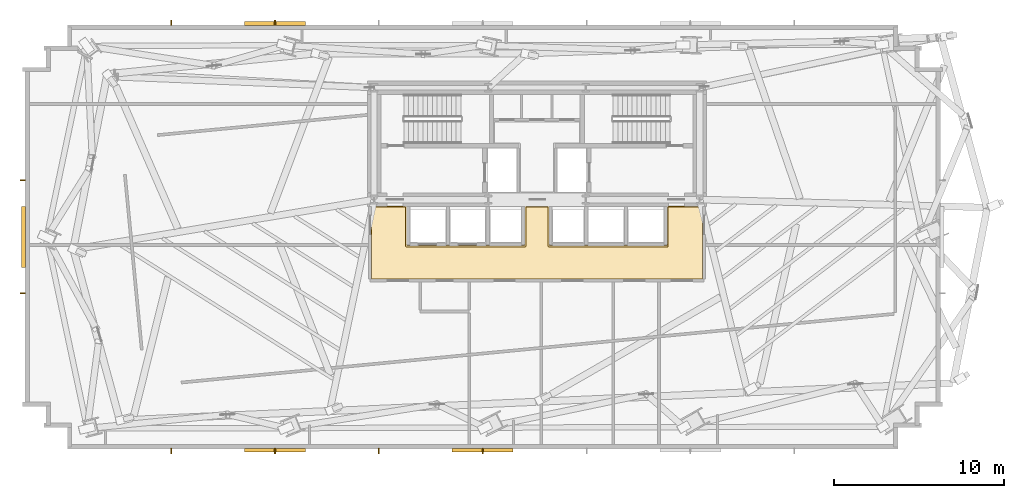
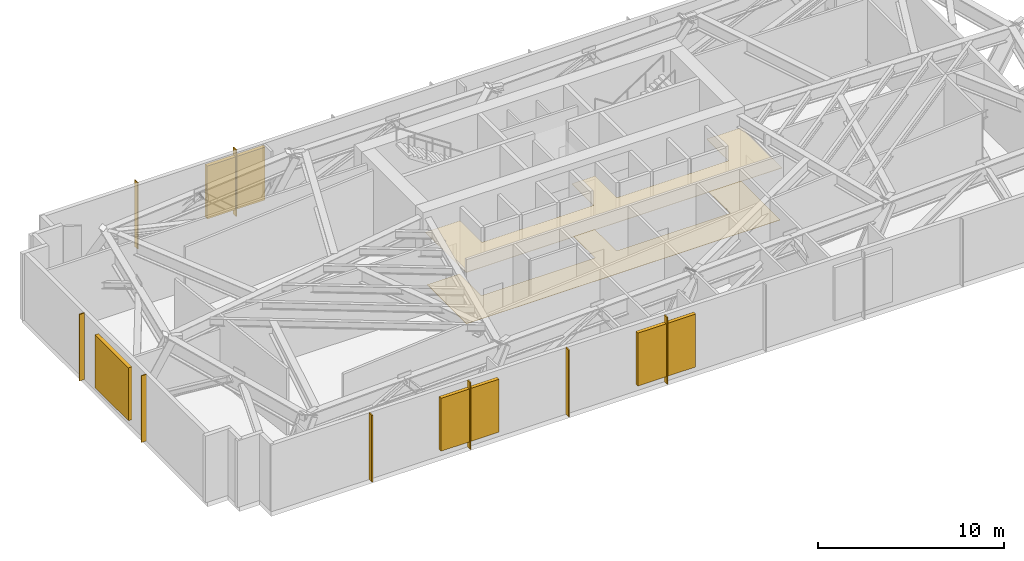
# One storey, part 9 of 11: 12 shading devices, 2 coverings.
"""IFC4 building model written with IfcOpenShell, lengths in metres."""

from ifc_helpers import new_model, si_unit, direction, frame, origin, origin_2d, place, context, subcontext, project, spatial, polyline, rectangle, outline, extrude, source, transform, mapped, material, layer, layer_set, type_object, type_shapes, element, save


model = new_model("IFC4")

# Units and contexts
model_context = context("Model", 3, precision=1e-05, world=origin(), true_north=direction((0.0, 1.0)))
body_context = subcontext(model_context, "Body", "Model", "MODEL_VIEW")
ifc_project = project(units=[si_unit("LENGTHUNIT", "METRE"), si_unit("AREAUNIT", "SQUARE_METRE"), si_unit("VOLUMEUNIT", "CUBIC_METRE"), si_unit("PLANEANGLEUNIT", "RADIAN"), si_unit("MASSUNIT", "GRAM", prefix="KILO")], contexts=[model_context])

# Site, building, storey
site_placement = place(None, origin())
site = spatial("IfcSite", under=ifc_project, at=site_placement, CompositionType="ELEMENT")
building_placement = place(site_placement, origin())
building = spatial("IfcBuilding", under=site, at=building_placement, Name="Astriad Promenade Condominiums", CompositionType="ELEMENT")
storey_placement = place(building_placement, frame((0.0, 0.0, 67.800048828125)))
storey = spatial("IfcBuildingStorey", under=building, at=storey_placement, Name="L19", CompositionType="ELEMENT", Elevation=67.800048828125)

# Coverings
ifc_material_1 = material(Name="Mineral-Fibre Acoustic Ceiling Tile")
ifc_layer_1 = layer(ifc_material_1, 0.02490234375)
ifc_layer_set_1 = layer_set([ifc_layer_1], Name="Mineral-Fibre Acoustic Ceiling Tile")
covering_type_1 = type_object("IfcCoveringType", Name="COV-CEIL-ACOUSTIC-25", PredefinedType="CEILING", material=ifc_layer_set_1)
covering_1_placement = place(storey_placement, frame((0.0, 0.0, 3.43505859375)))
element("IfcCovering", 1, at=covering_1_placement, inside=storey, type_object=covering_type_1, Name="CEIL-L19-PCOR-1", PredefinedType="CEILING", context=body_context, shape_type="SweptSolid", body=[
    extrude(outline(polyline([(26.169921875, 17.0), (26.170166015625, 17.0029296875), (26.170654296875, 17.005859375), (26.17138671875, 17.0087890625), (26.17236328125, 17.011474609375), (26.173583984375, 17.01416015625), (26.175048828125, 17.0166015625), (26.1767578125, 17.01904296875), (26.1787109375, 17.021240234375), (26.180908203125, 17.023193359375), (26.183349609375, 17.02490234375), (26.185791015625, 17.026611328125), (26.1884765625, 17.027587890625), (26.19140625, 17.02880859375), (26.194091796875, 17.029296875), (26.197021484375, 17.02978515625), (26.199951171875, 17.030029296875), (28.300048828125, 17.030029296875), (28.302978515625, 17.02978515625), (28.305908203125, 17.029296875), (28.30859375, 17.02880859375), (28.3115234375, 17.027587890625), (28.314208984375, 17.026611328125), (28.316650390625, 17.02490234375), (28.319091796875, 17.023193359375), (28.3212890625, 17.021240234375), (28.3232421875, 17.01904296875), (28.324951171875, 17.0166015625), (28.326416015625, 17.01416015625), (28.32763671875, 17.011474609375), (28.32861328125, 17.0087890625), (28.329345703125, 17.005859375), (28.329833984375, 17.0029296875), (28.330078125, 17.0), (28.330078125, 14.679931640625), (35.27001953125, 14.679931640625), (35.27001953125, 17.0), (35.27001953125, 17.0029296875), (35.2705078125, 17.005859375), (35.271240234375, 17.0087890625), (35.272216796875, 17.011474609375), (35.2734375, 17.01416015625), (35.275146484375, 17.0166015625), (35.27685546875, 17.01904296875), (35.27880859375, 17.021240234375), (35.281005859375, 17.023193359375), (35.283203125, 17.02490234375), (35.285888671875, 17.026611328125), (35.28857421875, 17.027587890625), (35.291259765625, 17.02880859375), (35.294189453125, 17.029296875), (35.297119140625, 17.02978515625), (35.300048828125, 17.030029296875), (36.699951171875, 17.030029296875), (36.702880859375, 17.02978515625), (36.705810546875, 17.029296875), (36.708740234375, 17.02880859375), (36.71142578125, 17.027587890625), (36.714111328125, 17.026611328125), (36.716796875, 17.02490234375), (36.718994140625, 17.023193359375), (36.72119140625, 17.021240234375), (36.72314453125, 17.01904296875), (36.724853515625, 17.0166015625), (36.7265625, 17.01416015625), (36.727783203125, 17.011474609375), (36.728759765625, 17.0087890625), (36.7294921875, 17.005859375), (36.72998046875, 17.0029296875), (36.72998046875, 17.0), (36.72998046875, 14.679931640625), (43.669921875, 14.679931640625), (43.669921875, 17.0), (43.670166015625, 17.0029296875), (43.670654296875, 17.005859375), (43.67138671875, 17.0087890625), (43.67236328125, 17.011474609375), (43.673583984375, 17.01416015625), (43.675048828125, 17.0166015625), (43.6767578125, 17.01904296875), (43.6787109375, 17.021240234375), (43.680908203125, 17.023193359375), (43.683349609375, 17.02490234375), (43.685791015625, 17.026611328125), (43.6884765625, 17.027587890625), (43.69140625, 17.02880859375), (43.694091796875, 17.029296875), (43.697021484375, 17.02978515625), (43.699951171875, 17.030029296875), (45.800048828125, 17.030029296875), (45.802978515625, 17.02978515625), (45.805908203125, 17.029296875), (45.80859375, 17.02880859375), (45.8115234375, 17.027587890625), (45.814208984375, 17.026611328125), (45.816650390625, 17.02490234375), (45.819091796875, 17.023193359375), (45.8212890625, 17.021240234375), (45.8232421875, 17.01904296875), (45.824951171875, 17.0166015625), (45.826416015625, 17.01416015625), (45.82763671875, 17.011474609375), (45.82861328125, 17.0087890625), (45.829345703125, 17.005859375), (45.829833984375, 17.0029296875), (45.830078125, 17.0), (45.830078125, 12.679931640625), (45.829833984375, 12.677001953125), (45.829345703125, 12.674072265625), (45.82861328125, 12.67138671875), (45.82763671875, 12.66845703125), (45.826416015625, 12.666015625), (45.824951171875, 12.663330078125), (45.8232421875, 12.660888671875), (45.8212890625, 12.65869140625), (45.819091796875, 12.65673828125), (45.816650390625, 12.655029296875), (45.814208984375, 12.653564453125), (45.8115234375, 12.65234375), (45.80859375, 12.6513671875), (45.805908203125, 12.650634765625), (45.802978515625, 12.650146484375), (45.800048828125, 12.64990234375), (26.199951171875, 12.64990234375), (26.197021484375, 12.650146484375), (26.194091796875, 12.650634765625), (26.19140625, 12.6513671875), (26.1884765625, 12.65234375), (26.185791015625, 12.653564453125), (26.183349609375, 12.655029296875), (26.180908203125, 12.65673828125), (26.1787109375, 12.65869140625), (26.1767578125, 12.660888671875), (26.175048828125, 12.663330078125), (26.173583984375, 12.666015625), (26.17236328125, 12.66845703125), (26.17138671875, 12.67138671875), (26.170654296875, 12.674072265625), (26.170166015625, 12.677001953125), (26.169921875, 12.679931640625), (26.169921875, 17.0)])), origin(), (0.0, 0.0, 1.0), 0.02490234375),
])
ifc_material_2 = material(Name="Polished Lakefront Terrazzo Flooring")
ifc_layer_2 = layer(ifc_material_2, 0.02001953125)
ifc_layer_set_2 = layer_set([ifc_layer_2], Name="Polished Lakefront Terrazzo Flooring")
covering_type_2 = type_object("IfcCoveringType", Name="COV-FLOR-TERRAZZO-20", PredefinedType="FLOORING", material=ifc_layer_set_2)
covering_2_placement = place(storey_placement, origin())
element("IfcCovering", 2, at=covering_2_placement, inside=storey, type_object=covering_type_2, Name="FLR-L19-PCOR-1", PredefinedType="FLOORING", context=body_context, shape_type="SweptSolid", body=[
    extrude(outline(polyline([(26.239990234375, 12.719970703125), (26.239990234375, 16.9599609375), (28.260009765625, 16.9599609375), (28.260009765625, 14.64990234375), (28.26025390625, 14.64599609375), (28.2607421875, 14.64208984375), (28.26171875, 14.638427734375), (28.262939453125, 14.634765625), (28.2646484375, 14.631103515625), (28.2666015625, 14.627685546875), (28.26904296875, 14.62451171875), (28.271728515625, 14.62158203125), (28.274658203125, 14.619140625), (28.27783203125, 14.61669921875), (28.281005859375, 14.61474609375), (28.28466796875, 14.613037109375), (28.288330078125, 14.61181640625), (28.292236328125, 14.61083984375), (28.296142578125, 14.610107421875), (28.300048828125, 14.610107421875), (35.300048828125, 14.610107421875), (35.303955078125, 14.610107421875), (35.307861328125, 14.61083984375), (35.3115234375, 14.61181640625), (35.315185546875, 14.613037109375), (35.31884765625, 14.61474609375), (35.322265625, 14.61669921875), (35.325439453125, 14.619140625), (35.328369140625, 14.62158203125), (35.330810546875, 14.62451171875), (35.333251953125, 14.627685546875), (35.335205078125, 14.631103515625), (35.3369140625, 14.634765625), (35.33837890625, 14.638427734375), (35.339111328125, 14.64208984375), (35.33984375, 14.64599609375), (35.340087890625, 14.64990234375), (35.340087890625, 16.9599609375), (36.659912109375, 16.9599609375), (36.659912109375, 14.64990234375), (36.66015625, 14.64599609375), (36.660888671875, 14.64208984375), (36.66162109375, 14.638427734375), (36.6630859375, 14.634765625), (36.664794921875, 14.631103515625), (36.666748046875, 14.627685546875), (36.669189453125, 14.62451171875), (36.671630859375, 14.62158203125), (36.674560546875, 14.619140625), (36.677734375, 14.61669921875), (36.68115234375, 14.61474609375), (36.684814453125, 14.613037109375), (36.6884765625, 14.61181640625), (36.692138671875, 14.61083984375), (36.696044921875, 14.610107421875), (36.699951171875, 14.610107421875), (43.699951171875, 14.610107421875), (43.703857421875, 14.610107421875), (43.707763671875, 14.61083984375), (43.711669921875, 14.61181640625), (43.71533203125, 14.613037109375), (43.718994140625, 14.61474609375), (43.72216796875, 14.61669921875), (43.725341796875, 14.619140625), (43.728271484375, 14.62158203125), (43.73095703125, 14.62451171875), (43.7333984375, 14.627685546875), (43.7353515625, 14.631103515625), (43.737060546875, 14.634765625), (43.73828125, 14.638427734375), (43.7392578125, 14.64208984375), (43.73974609375, 14.64599609375), (43.739990234375, 14.64990234375), (43.739990234375, 16.9599609375), (45.760009765625, 16.9599609375), (45.760009765625, 12.719970703125), (26.239990234375, 12.719970703125)])), origin(), (0.0, 0.0, 1.0), 0.02001953125),
])

# Shading devices
ifc_material_3 = material(Name="Anodised aluminium 6063-T6 Black Louvre", Category="aluminium")
shading_device_type_1 = type_object("IfcShadingDeviceType", Name="LOUVRE-ACOUSTIC-220", PredefinedType="JALOUSIE", material=ifc_material_3)
shared_shape_1 = source(origin(), body_context, "Body", "SweptSolid", [
    extrude(rectangle(XDim=3.60009765625, YDim=0.219970703125, at=origin_2d()), origin(), (0.0, 0.0, 1.0), 3.47998046875),
])
type_shapes(shading_device_type_1, [shared_shape_1])
for number, where, z_axis, x_axis, name in (
    (3, (5.7099609375, 15.199951171875, 0.449951171875), (0.0, 0.0, 1.0), (0.0, 1.0, 0.0), "LVR-L19-W-1"),
    (4, (20.550048828125, 27.7900390625, 0.449951171875), (0.0, 0.0, 1.0), (1.0, 0.0, 0.0), "LVR-L19-N-1"),
    (5, (32.800048828125, 2.610107421875, 0.449951171875), (0.0, 0.0, 1.0), (-1.0, 0.0, 0.0), "LVR-L19-S-2"),
    (6, (20.550048828125, 2.610107421875, 0.449951171875), (0.0, 0.0, 1.0), (-1.0, 0.0, 0.0), "LVR-L19-S-3"),
):
    element("IfcShadingDevice", number, at=place(storey_placement, frame(where, z_axis=z_axis, x_axis=x_axis)), inside=storey, type_object=shading_device_type_1, Name=name, PredefinedType="JALOUSIE", context=body_context, shape_type="MappedRepresentation", body=[
        mapped(shared_shape_1, transform((0.0, 0.0, 0.0), scale=1.0)),
    ])
ifc_material_4 = material(Name="Anodised aluminium 6063-T6 Black Fin", Category="aluminium")
shading_device_type_2 = type_object("IfcShadingDeviceType", Name="FIN-BLACK-320", PredefinedType="USERDEFINED", material=ifc_material_4)
shared_shape_2 = source(origin(), body_context, "Body", "SweptSolid", [
    extrude(rectangle(XDim=0.06494140625, YDim=0.320068359375, at=origin_2d()), origin(), (0.0, 0.0, 1.0), 4.3798828125),
])
type_shapes(shading_device_type_2, [shared_shape_2])
for number, where, z_axis, x_axis, name in (
    (7, (5.669921875, 11.86669921875, 0.0), (0.0, 0.0, 1.0), (0.0, 1.0, 0.0), "FIN-PLT-L19-W-01"),
    (8, (5.669921875, 18.533203125, 0.0), (0.0, 0.0, 1.0), (0.0, 1.0, 0.0), "FIN-PLT-L19-W-02"),
    (9, (14.425048828125, 27.830078125, 0.0), (0.0, 0.0, 1.0), (1.0, 0.0, 0.0), "FIN-PLT-L19-N-01"),
    (10, (20.550048828125, 27.830078125, 0.0), (0.0, 0.0, 1.0), (1.0, 0.0, 0.0), "FIN-PLT-L19-N-02"),
    (11, (32.800048828125, 2.570068359375, 0.0), (0.0, 0.0, 1.0), (-1.0, 0.0, 0.0), "FIN-PLT-L19-S-04"),
    (12, (26.675048828125, 2.570068359375, 0.0), (0.0, 0.0, 1.0), (-1.0, 0.0, 0.0), "FIN-PLT-L19-S-05"),
    (13, (20.550048828125, 2.570068359375, 0.0), (0.0, 0.0, 1.0), (-1.0, 0.0, 0.0), "FIN-PLT-L19-S-06"),
    (14, (14.425048828125, 2.570068359375, 0.0), (0.0, 0.0, 1.0), (-1.0, 0.0, 0.0), "FIN-PLT-L19-S-07"),
):
    element("IfcShadingDevice", number, at=place(storey_placement, frame(where, z_axis=z_axis, x_axis=x_axis)), inside=storey, type_object=shading_device_type_2, Name=name, ObjectType="FIN", PredefinedType="USERDEFINED", context=body_context, shape_type="MappedRepresentation", body=[
        mapped(shared_shape_2, transform((0.0, 0.0, 0.0), scale=1.0)),
    ])

save(model, "model.ifc")
